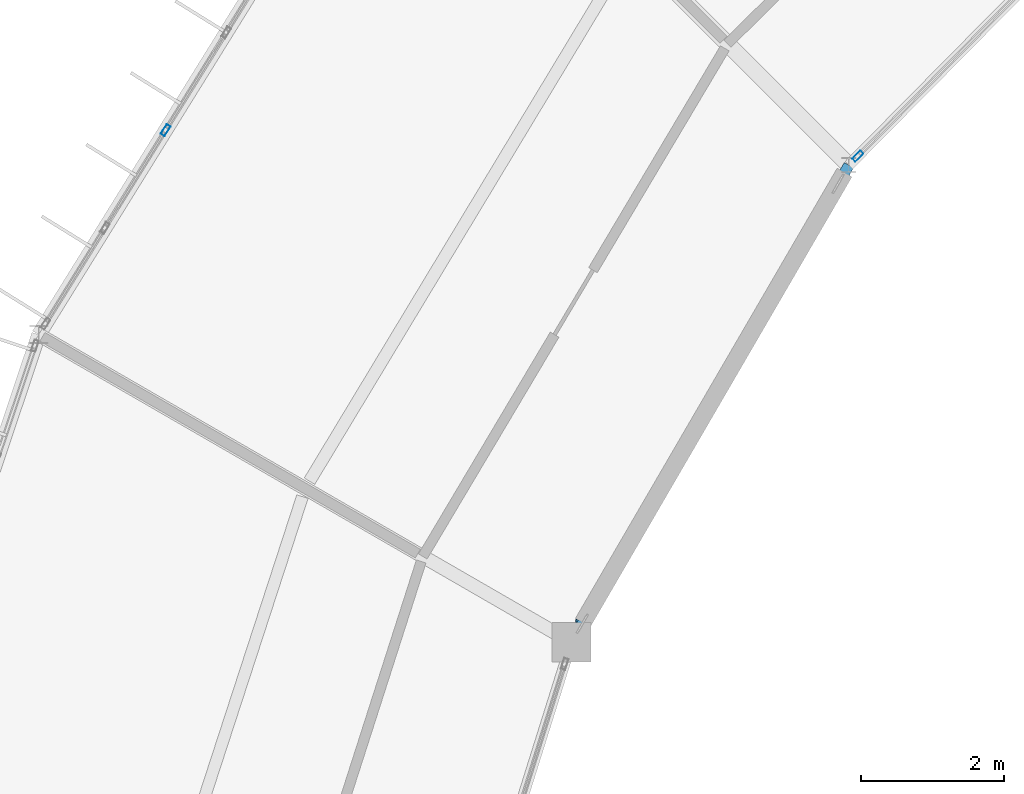
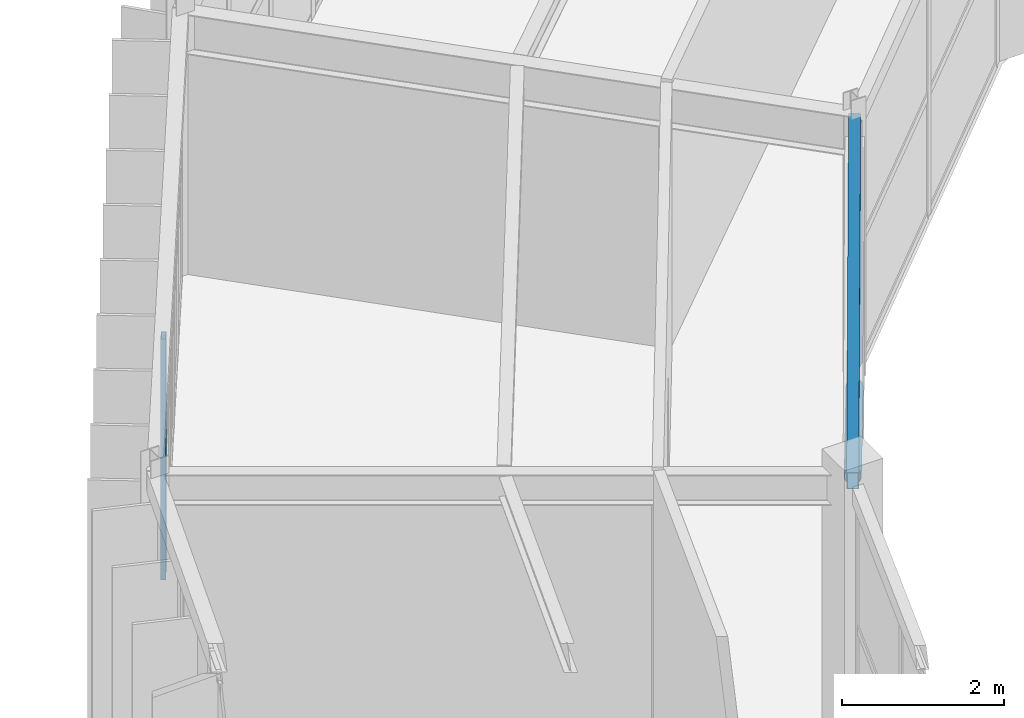
# One storey, part 64 of 130: 3 members, 1 beam, 2 elements without a shape of their own.
"""IFC4 building model written with IfcOpenShell, lengths in metres."""

from ifc_helpers import new_model, si_unit, direction, frame, origin, origin_2d, place, context, subcontext, project, spatial, hollow_rectangle, hollow_circle, extrude, material, material_profile, profile_set, type_object, element, aggregate, save


model = new_model("IFC4")

# Units and contexts
model_context = context("Model", 3, precision=1e-05, world=origin(), true_north=direction((0.0, 1.0)))
body_context = subcontext(model_context, "Body", "Model", "MODEL_VIEW")
ifc_project = project(units=[si_unit("LENGTHUNIT", "METRE"), si_unit("AREAUNIT", "SQUARE_METRE"), si_unit("VOLUMEUNIT", "CUBIC_METRE"), si_unit("PLANEANGLEUNIT", "RADIAN"), si_unit("MASSUNIT", "GRAM", prefix="KILO")], contexts=[model_context])

# Site, building, storey
site_placement = place(None, origin())
site = spatial("IfcSite", under=ifc_project, at=site_placement, CompositionType="ELEMENT")
building_placement = place(site_placement, origin())
building = spatial("IfcBuilding", under=site, at=building_placement, Name="Karori Crest Natural Sciences Institute", CompositionType="ELEMENT")
storey_placement = place(building_placement, frame((0.0, 0.0, 17.5)))
storey = spatial("IfcBuildingStorey", under=building, at=storey_placement, Name="L04", CompositionType="ELEMENT", Elevation=17.5)

# Beam
ifc_material_1 = material(Name="Hollow structural steel AS/NZS 1163 Grade C350", Category="steel")
ifc_material_profile_1 = material_profile(ifc_material_1, hollow_rectangle(XDim=0.14990234375, YDim=0.25, WallThickness=0.009033203125, at=origin_2d()), Name="RHS250x150x9")
ifc_profile_set_1 = profile_set([ifc_material_profile_1], Name="Hollow structural steel AS/NZS 1163 Grade C350")
beam_type = type_object("IfcBeamType", Name="BT-16", PredefinedType="SPANDREL", material=ifc_profile_set_1)
beam_placement = place(storey_placement, frame((49.146484375, 72.668701171875, 3.7900390625), z_axis=(-0.502648511326, -0.864490875638, 0.0), x_axis=(0.864490875638, -0.502648511326, 0.0)))
element("IfcBeam", 1, at=beam_placement, inside=storey, type_object=beam_type, Name="Beam B-0486", PredefinedType="SPANDREL", context=body_context, shape_type="SweptSolid", body=[
    extrude(hollow_rectangle(XDim=0.14990234375, YDim=0.25, WallThickness=0.009033203125, at=origin_2d()), origin(), (0.0, 0.0, 1.0), 7.714111328125),
])

# Curtain wall, member
ifc_material_2 = material(Name="Anodised architectural aluminium 6063-T6", Category="aluminium")
curtain_wall_type_1 = type_object("IfcCurtainWallType", Name="CWT-14", PredefinedType="NOTDEFINED", material=ifc_material_2)
curtain_wall_1_placement = place(storey_placement, origin())
curtain_wall_1 = element("IfcCurtainWall", 2, at=curtain_wall_1_placement, inside=storey, type_object=curtain_wall_type_1, Name="Curtain wall CW-0149", PredefinedType="NOTDEFINED")
ifc_material_profile_2 = material_profile(ifc_material_2, hollow_rectangle(XDim=0.06494140625, YDim=0.159912109375, WallThickness=0.00390625, at=origin_2d()), Name="CWM160x65x4")
ifc_profile_set_2 = profile_set([ifc_material_profile_2], Name="Anodised architectural aluminium 6063-T6")
member_type_1 = type_object("IfcMemberType", Name="CWM-01", PredefinedType="MULLION", material=ifc_profile_set_2)
member_1_placement = place(storey_placement, frame((49.2705078125, 72.79443359375, 0.0), z_axis=(0.0, 0.0, 1.0), x_axis=(0.711524963942, -0.702660818381, 0.0)))
member_1 = element("IfcMember", 3, at=member_1_placement, type_object=member_type_1, Name="CW-0149 mullion 3", PredefinedType="MULLION", context=body_context, shape_type="SweptSolid", body=[
    extrude(hollow_rectangle(XDim=0.06494140625, YDim=0.159912109375, WallThickness=0.00390625, at=origin_2d()), origin(), (0.0, 0.0, 1.0), 3.64990234375),
])
aggregate(curtain_wall_1, [member_1])

curtain_wall_type_2 = type_object("IfcCurtainWallType", Name="CWT-10", PredefinedType="NOTDEFINED", material=ifc_material_2)
curtain_wall_2_placement = place(storey_placement, origin())
curtain_wall_2 = element("IfcCurtainWall", 4, at=curtain_wall_2_placement, inside=storey, type_object=curtain_wall_type_2, Name="Curtain wall CW-0150", PredefinedType="NOTDEFINED")
member_2_placement = place(storey_placement, frame((39.5947265625, 73.157470703125, 0.0), z_axis=(0.0, 0.0, 1.0), x_axis=(-0.849664350398, 0.527323896352, 0.0)))
member_2 = element("IfcMember", 5, at=member_2_placement, type_object=member_type_1, Name="CW-0150 mullion 3", PredefinedType="MULLION", context=body_context, shape_type="SweptSolid", body=[
    extrude(hollow_rectangle(XDim=0.06494140625, YDim=0.159912109375, WallThickness=0.00390625, at=origin_2d()), origin(), (0.0, 0.0, 1.0), 3.625),
])
aggregate(curtain_wall_2, [member_2])

# Member
ifc_material_profile_3 = material_profile(ifc_material_1, hollow_circle(Radius=0.109619140625, WallThickness=0.00830078125, at=origin_2d()), Name="CHS219.1x8.2")
ifc_profile_set_3 = profile_set([ifc_material_profile_3], Name="Hollow structural steel AS/NZS 1163 Grade C350")
member_type_2 = type_object("IfcMemberType", Name="MT-02", PredefinedType="BRACE", material=ifc_profile_set_3)
member_3_placement = place(storey_placement, frame((48.995849609375, 72.409423828125, 0.010009765625), z_axis=(-0.447479339143, -0.769608249631, 0.455483680432), x_axis=(0.864491234315, -0.502647894447, 0.0)))
element("IfcMember", 6, at=member_3_placement, inside=storey, type_object=member_type_2, Name="Diagonal Brace M-0022", PredefinedType="BRACE", context=body_context, shape_type="SweptSolid", body=[
    extrude(hollow_circle(Radius=0.109619140625, WallThickness=0.00830078125, at=origin_2d()), origin(), (0.0, 0.0, 1.0), 7.9912109375),
])

save(model, "model.ifc")
